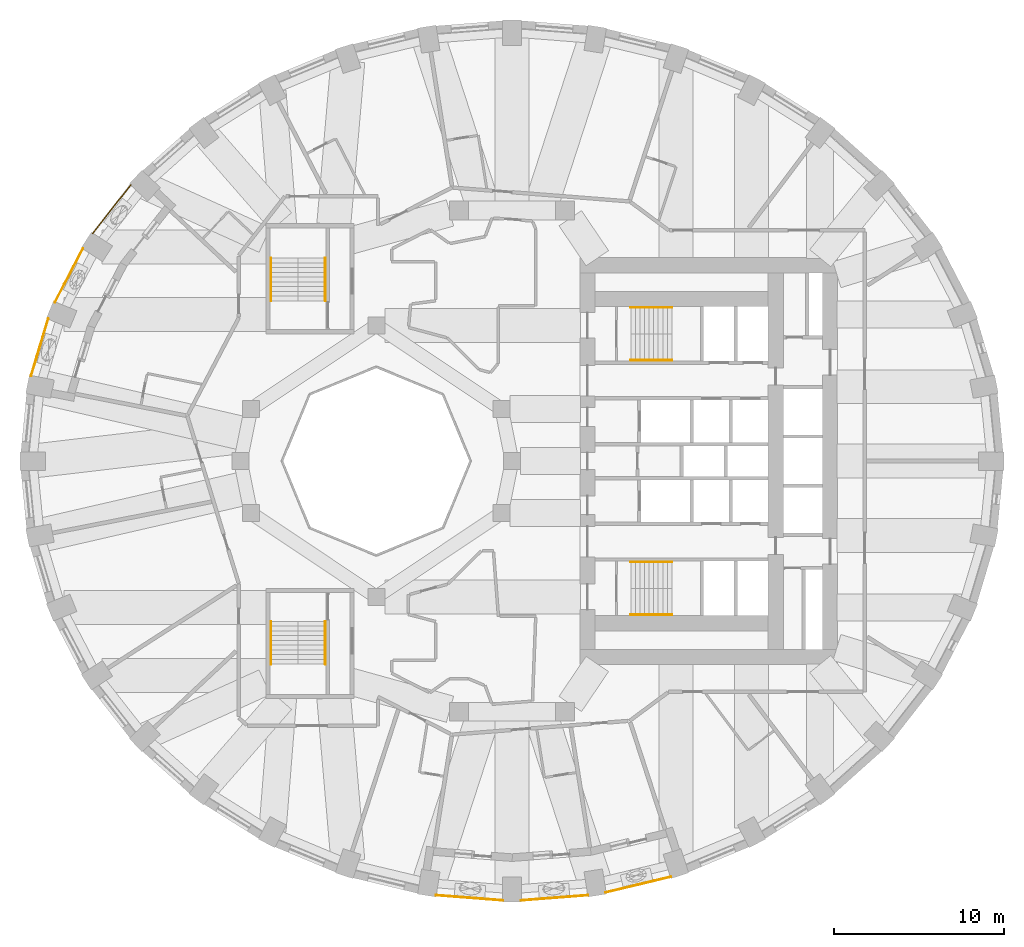
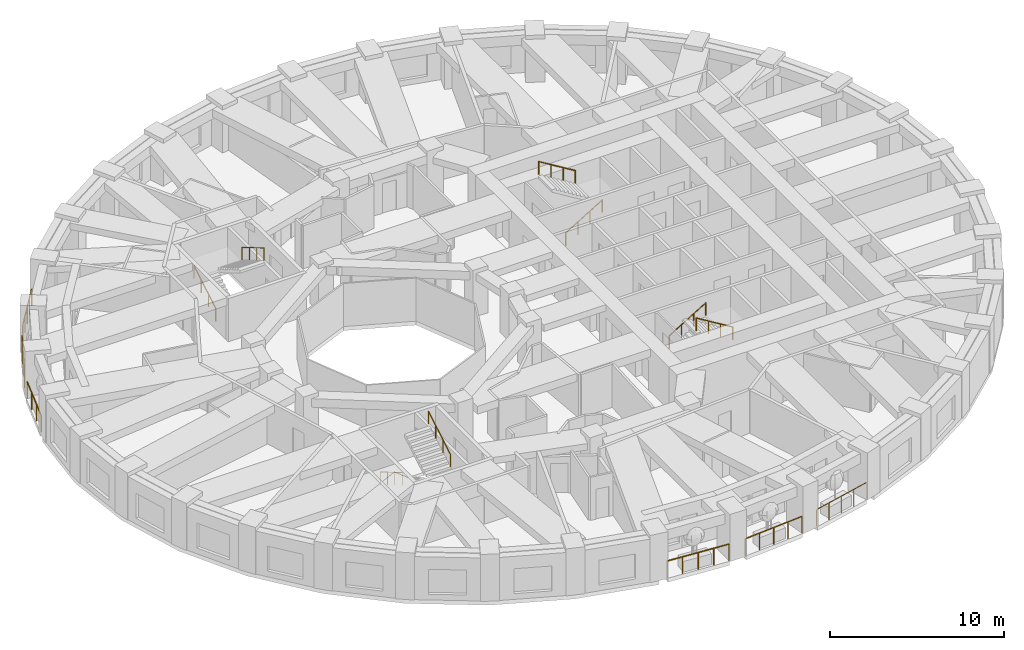
# One storey, part 11 of 13: 14 railings.
"""IFC4 building model written with IfcOpenShell, lengths in metres."""

import ifcopenshell
import ifcopenshell.guid

model = None  # the IFC model being written
_history = None  # IfcOwnerHistory: only IFC2X3 demands one
_inside = {}  # id of a spatial element -> (the spatial element, [elements in it])
_under = {}  # id of a project, library or spatial element -> (it, [spatial elements below it])
_declared = {}  # id of a project -> (the project, [libraries it declares])
_typed = {}  # id of a type object -> (the type object, [elements of that type])
_made_of = {}  # id of a material, layer set ... -> (it, [elements and type objects made of it])


def new_model(schema):
    """Start an empty IFC model of exactly this schema.

    Asked for "IFC4X3", IfcOpenShell would pick the latest addendum, in which some entities
    have other attributes; the version numbers below select the first issue.
    IFC2X3 requires an IfcOwnerHistory on every rooted entity: one is made here for all.
    """
    global model, _history
    if schema == "IFC4X3":
        model = ifcopenshell.file(schema_version=(4, 3, 0, 0))
    else:
        model = ifcopenshell.file(schema=schema)
    _inside.clear()
    _under.clear()
    _declared.clear()
    _typed.clear()
    _made_of.clear()
    _history = None
    if model.schema == "IFC2X3":
        org = make("IfcOrganization", Name="unknown")
        user = make(
            "IfcPersonAndOrganization",
            ThePerson=make("IfcPerson", FamilyName="unknown"),
            TheOrganization=org,
        )
        app = make(
            "IfcApplication",
            ApplicationDeveloper=org,
            Version="unknown",
            ApplicationFullName="unknown",
            ApplicationIdentifier="unknown",
        )
        _history = make(
            "IfcOwnerHistory",
            OwningUser=user,
            OwningApplication=app,
            ChangeAction="ADDED",
            CreationDate=0,
        )
    return model


def make(cls, **values):
    """One entity of the class cls with the attributes given. An attribute that is None is left unset."""
    return model.create_entity(
        cls, **{name: value for name, value in values.items() if value is not None}
    )


def rooted(cls, **values):
    """An entity with a GlobalId (a new one), such as an element, a storey or a relation."""
    return make(cls, GlobalId=ifcopenshell.guid.new(), OwnerHistory=_history, **values)


def si_unit(unit_type, name, prefix=None):
    """IfcSIUnit, for example si_unit("LENGTHUNIT", "METRE", prefix="MILLI")."""
    return make("IfcSIUnit", UnitType=unit_type, Prefix=prefix, Name=name)


def assignment(units):
    """IfcUnitAssignment: the units of a project."""
    return None if units is None else make("IfcUnitAssignment", Units=units)


def point(xyz):
    """IfcCartesianPoint."""
    return None if xyz is None else make("IfcCartesianPoint", Coordinates=xyz)


def direction(xyz):
    """IfcDirection."""
    return None if xyz is None else make("IfcDirection", DirectionRatios=xyz)


def frame(location, z_axis=None, x_axis=None):
    """IfcAxis2Placement3D, a coordinate frame: its origin and axes. An axis left out is left unset."""
    return make(
        "IfcAxis2Placement3D",
        Location=point(location),
        Axis=direction(z_axis),
        RefDirection=direction(x_axis),
    )


def frame_2d(location, x_axis=None):
    """IfcAxis2Placement2D, a coordinate frame in the plane: its origin and x axis."""
    return make(
        "IfcAxis2Placement2D", Location=point(location), RefDirection=direction(x_axis)
    )


def origin():
    """The frame at (0, 0, 0) with its axes left unset."""
    return frame((0.0, 0.0, 0.0))


def origin_2d():
    """The frame at (0, 0) in the plane with its x axis left unset."""
    return frame_2d((0.0, 0.0))


def place(relative_to, where):
    """IfcLocalPlacement: puts the frame where relative to a parent placement (None: the world)."""
    return make(
        "IfcLocalPlacement", PlacementRelTo=relative_to, RelativePlacement=where
    )


def context(
    kind, dimensions, precision=None, world=None, true_north=None, identifier=None
):
    """IfcGeometricRepresentationContext, for example the 3D "Model" context."""
    return make(
        "IfcGeometricRepresentationContext",
        ContextIdentifier=identifier,
        ContextType=kind,
        CoordinateSpaceDimension=dimensions,
        Precision=precision,
        WorldCoordinateSystem=world,
        TrueNorth=true_north,
    )


def subcontext(parent, identifier, kind, view, scale=None):
    """IfcGeometricRepresentationSubContext, for example "Body" below "Model"."""
    return make(
        "IfcGeometricRepresentationSubContext",
        ContextIdentifier=identifier,
        ContextType=kind,
        ParentContext=parent,
        TargetScale=scale,
        TargetView=view,
    )


def project(units=None, contexts=None):
    """IfcProject with its units and contexts."""
    return rooted(
        "IfcProject",
        Name="project",
        RepresentationContexts=contexts,
        UnitsInContext=assignment(units),
    )


def spatial(cls, under=None, at=None, **own):
    """A site, building, storey or space (cls), placed at a placement, below another one or the project."""
    s = rooted(cls, ObjectPlacement=at, **own)
    if under is not None:
        _under.setdefault(under.id(), (under, []))[1].append(s)
    return s


def profile(cls, at=None, kind="AREA", **sizes):
    """A parametric profile (cls). Its sizes go by their IFC names, for example OverallWidth=200.0."""
    return make(cls, ProfileType=kind, Position=at, **sizes)


def circle(**sizes):
    """IfcCircleProfileDef."""
    return profile("IfcCircleProfileDef", **sizes)


def extrude(swept, where, along, depth):
    """IfcExtrudedAreaSolid: the profile swept, set in the frame where, extruded along a direction by depth."""
    return make(
        "IfcExtrudedAreaSolid",
        SweptArea=swept,
        Position=where,
        ExtrudedDirection=direction(along),
        Depth=depth,
    )


def shape(context_of_items, identifier, shape_type, items):
    """IfcShapeRepresentation: the items that make up one representation, for example the "Body"."""
    return make(
        "IfcShapeRepresentation",
        ContextOfItems=context_of_items,
        RepresentationIdentifier=identifier,
        RepresentationType=shape_type,
        Items=items,
    )


def material(Name=None, Category=None):
    """IfcMaterial."""
    return make("IfcMaterial", Name=Name, Category=Category)


def made_of(thing, what):
    """Note that an element or type object is made of a material, layer set ...; save() writes the relation."""
    if what is not None:
        _made_of.setdefault(what.id(), (what, []))[1].append(thing)
    return thing


def type_object(cls, material=None, **own):
    """A type object (cls), such as IfcWallType, which elements share."""
    return made_of(rooted(cls, **own), material)


def element(
    cls,
    number,
    at=None,
    inside=None,
    cuts=None,
    type_object=None,
    material=None,
    context=None,
    identifier="Body",
    shape_type=None,
    held_by="IfcProductDefinitionShape",
    body=None,
    shapes=None,
    **own,
):
    """One element of the class cls, such as IfcWall. Its Tag is "e" and its number.

    at: its placement. inside: the storey or other place that contains it. cuts: it is an
    opening in that element (IfcRelVoidsElement). A single representation is given by context,
    identifier, shape_type and body (its items); several are given by shapes. held_by: the class
    of the entity that holds the representations. save() writes the other relations.
    """
    e = rooted(cls, Tag="e%d" % number, ObjectPlacement=at, **own)
    if body is not None:
        shapes = [shape(context, identifier, shape_type, body)]
    if shapes is not None:
        e.Representation = make(held_by, Representations=shapes)
    if inside is not None:
        _inside.setdefault(inside.id(), (inside, []))[1].append(e)
    if cuts is not None:
        rooted(
            "IfcRelVoidsElement", RelatingBuildingElement=cuts, RelatedOpeningElement=e
        )
    if type_object is not None:
        _typed.setdefault(type_object.id(), (type_object, []))[1].append(e)
    return made_of(e, material)


def aggregate(whole, parts):
    """IfcRelAggregates: a whole, such as a stair, and the parts it consists of."""
    return rooted("IfcRelAggregates", RelatingObject=whole, RelatedObjects=parts)


def save(model, path):
    """Write the relations noted so far, then the file.

    IfcRelAggregates (storeys below a building ...), IfcRelContainedInSpatialStructure (elements
    in a storey), IfcRelDefinesByType, IfcRelAssociatesMaterial and IfcRelDeclares: one each for
    every whole, place, type object, material and project.
    """
    for whole, parts in _under.values():
        aggregate(whole, parts)
    for where, things in _inside.values():
        rooted(
            "IfcRelContainedInSpatialStructure",
            RelatedElements=things,
            RelatingStructure=where,
        )
    for kind, things in _typed.values():
        rooted("IfcRelDefinesByType", RelatedObjects=things, RelatingType=kind)
    for what, things in _made_of.values():
        rooted("IfcRelAssociatesMaterial", RelatedObjects=things, RelatingMaterial=what)
    for by, libraries in _declared.values():
        rooted("IfcRelDeclares", RelatingContext=by, RelatedDefinitions=libraries)
    model.write(path)


model = new_model("IFC4")

# Units and contexts
model_context = context("Model", 3, precision=1e-05, world=origin(), true_north=direction((0.0, 1.0)))
body_context = subcontext(model_context, "Body", "Model", "MODEL_VIEW")
ifc_project = project(units=[si_unit("LENGTHUNIT", "METRE"), si_unit("AREAUNIT", "SQUARE_METRE"), si_unit("VOLUMEUNIT", "CUBIC_METRE"), si_unit("PLANEANGLEUNIT", "RADIAN"), si_unit("MASSUNIT", "GRAM", prefix="KILO")], contexts=[model_context])

# Site, building, storey
site_placement = place(None, origin())
site = spatial("IfcSite", under=ifc_project, at=site_placement, CompositionType="ELEMENT")
building_placement = place(site_placement, origin())
building = spatial("IfcBuilding", under=site, at=building_placement, Name="Taillehof Tower", CompositionType="ELEMENT")
storey_placement = place(building_placement, frame((0.0, 0.0, 31.60009765625)))
storey = spatial("IfcBuildingStorey", under=building, at=storey_placement, Name="L07", CompositionType="ELEMENT", Elevation=31.60009765625)

# Railings
ifc_material_1 = material(Name="Stainless steel balustrade", Category="steel")
railing_type_1 = type_object("IfcRailingType", Name="Balcony guard 1200", PredefinedType="GUARDRAIL", material=ifc_material_1)
railing_1_placement = place(storey_placement, frame((-22.472412109375, 16.28271484375, 0.0)))
element("IfcRailing", 1, at=railing_1_placement, inside=storey, type_object=railing_type_1, Name="Balcony guard L07 bay 15", PredefinedType="GUARDRAIL", context=body_context, shape_type="SweptSolid", body=[
    extrude(circle(Radius=0.02392578125, at=origin_2d()), frame((0.0, 0.0, 1.17578125), z_axis=(-0.616653661131, -0.787234566196, 0.0), x_axis=(0.787234566196, -0.616653661131, 0.0)), (0.0, 0.0, 1.0), 3.6396484375),
    extrude(circle(Radius=0.02099609375, at=origin_2d()), origin(), (0.0, 0.0, 1.0), 1.15185546875),
    extrude(circle(Radius=0.02099609375, at=origin_2d()), frame((-0.56103515625, -0.71630859375, 0.0)), (0.0, 0.0, 1.0), 1.15185546875),
    extrude(circle(Radius=0.02099609375, at=origin_2d()), frame((-1.1220703125, -1.4326171875, 0.0)), (0.0, 0.0, 1.0), 1.15185546875),
    extrude(circle(Radius=0.02099609375, at=origin_2d()), frame((-1.683349609375, -2.14892578125, 0.0)), (0.0, 0.0, 1.0), 1.15185546875),
    extrude(circle(Radius=0.02099609375, at=origin_2d()), frame((-2.244384765625, -2.865234375, 0.0)), (0.0, 0.0, 1.0), 1.15185546875),
])
railing_2_placement = place(storey_placement, frame((-25.291259765625, 12.526611328125, 0.0)))
element("IfcRailing", 2, at=railing_2_placement, inside=storey, type_object=railing_type_1, Name="Balcony guard L07 bay 16", PredefinedType="GUARDRAIL", context=body_context, shape_type="SweptSolid", body=[
    extrude(circle(Radius=0.02392578125, at=origin_2d()), frame((0.0, 0.0, 1.17578125), z_axis=(-0.462523854419, -0.886606837382, 0.0), x_axis=(0.886606837382, -0.462523854419, 0.0)), (0.0, 0.0, 1.0), 3.56298828125),
    extrude(circle(Radius=0.02099609375, at=origin_2d()), origin(), (0.0, 0.0, 1.0), 1.15185546875),
    extrude(circle(Radius=0.02099609375, at=origin_2d()), frame((-0.54931640625, -1.052978515625, 0.0)), (0.0, 0.0, 1.0), 1.15185546875),
    extrude(circle(Radius=0.02099609375, at=origin_2d()), frame((-1.0986328125, -2.10595703125, 0.0)), (0.0, 0.0, 1.0), 1.15185546875),
    extrude(circle(Radius=0.02099609375, at=origin_2d()), frame((-1.64794921875, -3.158935546875, 0.0)), (0.0, 0.0, 1.0), 1.15185546875),
])
railing_3_placement = place(storey_placement, frame((-27.33837890625, 8.385498046875, 0.0)))
element("IfcRailing", 3, at=railing_3_placement, inside=storey, type_object=railing_type_1, Name="Balcony guard L07 bay 17", PredefinedType="GUARDRAIL", context=body_context, shape_type="SweptSolid", body=[
    extrude(circle(Radius=0.02392578125, at=origin_2d()), frame((0.0, 0.0, 1.17578125), z_axis=(-0.287098668231, -0.957901015085, 0.0), x_axis=(0.957901015085, -0.287098668231, 0.0)), (0.0, 0.0, 1.0), 3.505126953125),
    extrude(circle(Radius=0.02099609375, at=origin_2d()), origin(), (0.0, 0.0, 1.0), 1.15185546875),
    extrude(circle(Radius=0.02099609375, at=origin_2d()), frame((-0.33544921875, -1.119140625, 0.0)), (0.0, 0.0, 1.0), 1.15185546875),
    extrude(circle(Radius=0.02099609375, at=origin_2d()), frame((-0.6708984375, -2.238525390625, 0.0)), (0.0, 0.0, 1.0), 1.15185546875),
    extrude(circle(Radius=0.02099609375, at=origin_2d()), frame((-1.00634765625, -3.357666015625, 0.0)), (0.0, 0.0, 1.0), 1.15185546875),
])
railing_4_placement = place(storey_placement, frame((-4.483154296875, -25.589111328125, 0.0)))
element("IfcRailing", 4, at=railing_4_placement, inside=storey, type_object=railing_type_1, Name="Balcony guard L07 bay 27", PredefinedType="GUARDRAIL", context=body_context, shape_type="SweptSolid", body=[
    extrude(circle(Radius=0.02392578125, at=origin_2d()), frame((0.0, 0.0, 1.17578125), z_axis=(0.996952571778, -0.078010061045, 0.0), x_axis=(0.078010061045, 0.996952571778, 0.0)), (0.0, 0.0, 1.0), 3.965087890625),
    extrude(circle(Radius=0.02099609375, at=origin_2d()), origin(), (0.0, 0.0, 1.0), 1.15185546875),
    extrude(circle(Radius=0.02099609375, at=origin_2d()), frame((0.98828125, -0.077392578125, 0.0)), (0.0, 0.0, 1.0), 1.15185546875),
    extrude(circle(Radius=0.02099609375, at=origin_2d()), frame((1.9765625, -0.15478515625, 0.0)), (0.0, 0.0, 1.0), 1.15185546875),
    extrude(circle(Radius=0.02099609375, at=origin_2d()), frame((2.96484375, -0.23193359375, 0.0)), (0.0, 0.0, 1.0), 1.15185546875),
    extrude(circle(Radius=0.02099609375, at=origin_2d()), frame((3.953125, -0.309326171875, 0.0)), (0.0, 0.0, 1.0), 1.15185546875),
])
railing_5_placement = place(storey_placement, frame((0.530029296875, -25.8984375, 0.0)))
element("IfcRailing", 5, at=railing_5_placement, inside=storey, type_object=railing_type_1, Name="Balcony guard L07 bay 28", PredefinedType="GUARDRAIL", context=body_context, shape_type="SweptSolid", body=[
    extrude(circle(Radius=0.02392578125, at=origin_2d()), frame((0.0, 0.0, 1.17578125), z_axis=(0.996952571778, 0.078010061045, 0.0), x_axis=(-0.078010061045, 0.996952571778, 0.0)), (0.0, 0.0, 1.0), 3.965087890625),
    extrude(circle(Radius=0.02099609375, at=origin_2d()), origin(), (0.0, 0.0, 1.0), 1.15185546875),
    extrude(circle(Radius=0.02099609375, at=origin_2d()), frame((0.98828125, 0.077392578125, 0.0)), (0.0, 0.0, 1.0), 1.15185546875),
    extrude(circle(Radius=0.02099609375, at=origin_2d()), frame((1.9765625, 0.15478515625, 0.0)), (0.0, 0.0, 1.0), 1.15185546875),
    extrude(circle(Radius=0.02099609375, at=origin_2d()), frame((2.96484375, 0.23193359375, 0.0)), (0.0, 0.0, 1.0), 1.15185546875),
    extrude(circle(Radius=0.02099609375, at=origin_2d()), frame((3.953125, 0.309326171875, 0.0)), (0.0, 0.0, 1.0), 1.15185546875),
])
railing_6_placement = place(storey_placement, frame((5.5302734375, -25.423828125, 0.0)))
element("IfcRailing", 6, at=railing_6_placement, inside=storey, type_object=railing_type_1, Name="Balcony guard L07 bay 29", PredefinedType="GUARDRAIL", context=body_context, shape_type="SweptSolid", body=[
    extrude(circle(Radius=0.02392578125, at=origin_2d()), frame((0.0, 0.0, 1.17578125), z_axis=(0.972495275648, 0.232922602687, 0.0), x_axis=(-0.232922602687, 0.972495275648, 0.0)), (0.0, 0.0, 1.0), 3.93701171875),
    extrude(circle(Radius=0.02099609375, at=origin_2d()), origin(), (0.0, 0.0, 1.0), 1.15185546875),
    extrude(circle(Radius=0.02099609375, at=origin_2d()), frame((0.95703125, 0.229248046875, 0.0)), (0.0, 0.0, 1.0), 1.15185546875),
    extrude(circle(Radius=0.02099609375, at=origin_2d()), frame((1.914306640625, 0.45849609375, 0.0)), (0.0, 0.0, 1.0), 1.15185546875),
    extrude(circle(Radius=0.02099609375, at=origin_2d()), frame((2.87158203125, 0.687744140625, 0.0)), (0.0, 0.0, 1.0), 1.15185546875),
    extrude(circle(Radius=0.02099609375, at=origin_2d()), frame((3.82861328125, 0.9169921875, 0.0)), (0.0, 0.0, 1.0), 1.15185546875),
])
ifc_material_2 = material(Name="Stainless steel", Category="steel")
railing_type_2 = type_object("IfcRailingType", Name="Stair handrail 900", PredefinedType="HANDRAIL", material=ifc_material_2)
railing_7_placement = place(storey_placement, frame((7.0, 5.949951171875, 0.164794921875)))
element("IfcRailing", 7, at=railing_7_placement, inside=storey, type_object=railing_type_2, Name="Stair S1 handrail", PredefinedType="HANDRAIL", context=body_context, shape_type="SweptSolid", body=[
    extrude(circle(Radius=0.02392578125, at=origin_2d()), frame((0.0, 0.0, 0.8759765625), z_axis=(0.853258522278, 0.0, 0.521488153423), x_axis=(0.0, 1.0, 0.0)), (0.0, 0.0, 1.0), 2.847900390625),
    extrude(circle(Radius=0.02099609375, at=origin_2d()), origin(), (0.0, 0.0, 1.0), 0.851806640625),
    extrude(circle(Radius=0.02099609375, at=origin_2d()), frame((0.81005859375, 0.0, 0.4951171875)), (0.0, 0.0, 1.0), 0.851806640625),
    extrude(circle(Radius=0.02099609375, at=origin_2d()), frame((1.619873046875, 0.0, 0.989990234375)), (0.0, 0.0, 1.0), 0.851806640625),
    extrude(circle(Radius=0.02099609375, at=origin_2d()), frame((2.429931640625, 0.0, 1.485107421875)), (0.0, 0.0, 1.0), 0.851806640625),
])
railing_8_placement = place(storey_placement, frame((9.429931640625, 9.050048828125, 1.81494140625)))
element("IfcRailing", 8, at=railing_8_placement, inside=storey, type_object=railing_type_2, Name="Stair S1 handrail", PredefinedType="HANDRAIL", context=body_context, shape_type="SweptSolid", body=[
    extrude(circle(Radius=0.02392578125, at=origin_2d()), frame((0.0, 0.0, 0.8759765625), z_axis=(-0.853296667938, 0.0, 0.521425734392), x_axis=(0.0, -1.0, 0.0)), (0.0, 0.0, 1.0), 2.84765625),
    extrude(circle(Radius=0.02099609375, at=origin_2d()), origin(), (0.0, 0.0, 1.0), 0.851806640625),
    extrude(circle(Radius=0.02099609375, at=origin_2d()), frame((-0.81005859375, 0.0, 0.494873046875)), (0.0, 0.0, 1.0), 0.851806640625),
    extrude(circle(Radius=0.02099609375, at=origin_2d()), frame((-1.619873046875, 0.0, 0.989990234375)), (0.0, 0.0, 1.0), 0.851806640625),
    extrude(circle(Radius=0.02099609375, at=origin_2d()), frame((-2.429931640625, 0.0, 1.48486328125)), (0.0, 0.0, 1.0), 0.851806640625),
])
railing_9_placement = place(storey_placement, frame((7.0, -5.949951171875, 0.164794921875)))
element("IfcRailing", 9, at=railing_9_placement, inside=storey, type_object=railing_type_2, Name="Stair S2 handrail", PredefinedType="HANDRAIL", context=body_context, shape_type="SweptSolid", body=[
    extrude(circle(Radius=0.02392578125, at=origin_2d()), frame((0.0, 0.0, 0.8759765625), z_axis=(0.853258522278, 0.0, 0.521488153423), x_axis=(0.0, 1.0, 0.0)), (0.0, 0.0, 1.0), 2.847900390625),
    extrude(circle(Radius=0.02099609375, at=origin_2d()), origin(), (0.0, 0.0, 1.0), 0.851806640625),
    extrude(circle(Radius=0.02099609375, at=origin_2d()), frame((0.81005859375, 0.0, 0.4951171875)), (0.0, 0.0, 1.0), 0.851806640625),
    extrude(circle(Radius=0.02099609375, at=origin_2d()), frame((1.619873046875, 0.0, 0.989990234375)), (0.0, 0.0, 1.0), 0.851806640625),
    extrude(circle(Radius=0.02099609375, at=origin_2d()), frame((2.429931640625, 0.0, 1.485107421875)), (0.0, 0.0, 1.0), 0.851806640625),
])
railing_10_placement = place(storey_placement, frame((9.429931640625, -9.050048828125, 1.81494140625)))
element("IfcRailing", 10, at=railing_10_placement, inside=storey, type_object=railing_type_2, Name="Stair S2 handrail", PredefinedType="HANDRAIL", context=body_context, shape_type="SweptSolid", body=[
    extrude(circle(Radius=0.02392578125, at=origin_2d()), frame((0.0, 0.0, 0.8759765625), z_axis=(-0.853296667938, 0.0, 0.521425734392), x_axis=(0.0, -1.0, 0.0)), (0.0, 0.0, 1.0), 2.84765625),
    extrude(circle(Radius=0.02099609375, at=origin_2d()), origin(), (0.0, 0.0, 1.0), 0.851806640625),
    extrude(circle(Radius=0.02099609375, at=origin_2d()), frame((-0.81005859375, 0.0, 0.494873046875)), (0.0, 0.0, 1.0), 0.851806640625),
    extrude(circle(Radius=0.02099609375, at=origin_2d()), frame((-1.619873046875, 0.0, 0.989990234375)), (0.0, 0.0, 1.0), 0.851806640625),
    extrude(circle(Radius=0.02099609375, at=origin_2d()), frame((-2.429931640625, 0.0, 1.48486328125)), (0.0, 0.0, 1.0), 0.851806640625),
])
railing_11_placement = place(storey_placement, frame((-14.199951171875, 9.449951171875, 0.164794921875)))
element("IfcRailing", 11, at=railing_11_placement, inside=storey, type_object=railing_type_2, Name="Stair S3 handrail", PredefinedType="HANDRAIL", context=body_context, shape_type="SweptSolid", body=[
    extrude(circle(Radius=0.02392578125, at=origin_2d()), frame((0.0, 0.0, 0.8759765625), z_axis=(0.0, 0.86152411907, 0.507716645641), x_axis=(-1.0, 0.0, 0.0)), (0.0, 0.0, 1.0), 2.925048828125),
    extrude(circle(Radius=0.02099609375, at=origin_2d()), origin(), (0.0, 0.0, 1.0), 0.851806640625),
    extrude(circle(Radius=0.02099609375, at=origin_2d()), frame((0.0, 0.840087890625, 0.4951171875)), (0.0, 0.0, 1.0), 0.851806640625),
    extrude(circle(Radius=0.02099609375, at=origin_2d()), frame((0.0, 1.679931640625, 0.989990234375)), (0.0, 0.0, 1.0), 0.851806640625),
    extrude(circle(Radius=0.02099609375, at=origin_2d()), frame((0.0, 2.52001953125, 1.485107421875)), (0.0, 0.0, 1.0), 0.851806640625),
])
railing_12_placement = place(storey_placement, frame((-11.0, 11.969970703125, 1.81494140625)))
element("IfcRailing", 12, at=railing_12_placement, inside=storey, type_object=railing_type_2, Name="Stair S3 handrail", PredefinedType="HANDRAIL", context=body_context, shape_type="SweptSolid", body=[
    extrude(circle(Radius=0.02392578125, at=origin_2d()), frame((0.0, 0.0, 0.8759765625), z_axis=(0.0, -0.861560626758, 0.507654692109), x_axis=(1.0, 0.0, 0.0)), (0.0, 0.0, 1.0), 2.925048828125),
    extrude(circle(Radius=0.02099609375, at=origin_2d()), origin(), (0.0, 0.0, 1.0), 0.851806640625),
    extrude(circle(Radius=0.02099609375, at=origin_2d()), frame((0.0, -0.840087890625, 0.494873046875)), (0.0, 0.0, 1.0), 0.851806640625),
    extrude(circle(Radius=0.02099609375, at=origin_2d()), frame((0.0, -1.679931640625, 0.989990234375)), (0.0, 0.0, 1.0), 0.851806640625),
    extrude(circle(Radius=0.02099609375, at=origin_2d()), frame((0.0, -2.52001953125, 1.48486328125)), (0.0, 0.0, 1.0), 0.851806640625),
])
railing_13_placement = place(storey_placement, frame((-14.199951171875, -9.449951171875, 0.164794921875)))
element("IfcRailing", 13, at=railing_13_placement, inside=storey, type_object=railing_type_2, Name="Stair S4 handrail", PredefinedType="HANDRAIL", context=body_context, shape_type="SweptSolid", body=[
    extrude(circle(Radius=0.02392578125, at=origin_2d()), frame((0.0, 0.0, 0.8759765625), z_axis=(0.0, -0.86152411907, 0.507716645641), x_axis=(1.0, 0.0, 0.0)), (0.0, 0.0, 1.0), 2.925048828125),
    extrude(circle(Radius=0.02099609375, at=origin_2d()), origin(), (0.0, 0.0, 1.0), 0.851806640625),
    extrude(circle(Radius=0.02099609375, at=origin_2d()), frame((0.0, -0.840087890625, 0.4951171875)), (0.0, 0.0, 1.0), 0.851806640625),
    extrude(circle(Radius=0.02099609375, at=origin_2d()), frame((0.0, -1.679931640625, 0.989990234375)), (0.0, 0.0, 1.0), 0.851806640625),
    extrude(circle(Radius=0.02099609375, at=origin_2d()), frame((0.0, -2.52001953125, 1.485107421875)), (0.0, 0.0, 1.0), 0.851806640625),
])
railing_14_placement = place(storey_placement, frame((-11.0, -11.969970703125, 1.81494140625)))
element("IfcRailing", 14, at=railing_14_placement, inside=storey, type_object=railing_type_2, Name="Stair S4 handrail", PredefinedType="HANDRAIL", context=body_context, shape_type="SweptSolid", body=[
    extrude(circle(Radius=0.02392578125, at=origin_2d()), frame((0.0, 0.0, 0.8759765625), z_axis=(0.0, 0.861560626758, 0.507654692109), x_axis=(-1.0, 0.0, 0.0)), (0.0, 0.0, 1.0), 2.925048828125),
    extrude(circle(Radius=0.02099609375, at=origin_2d()), origin(), (0.0, 0.0, 1.0), 0.851806640625),
    extrude(circle(Radius=0.02099609375, at=origin_2d()), frame((0.0, 0.840087890625, 0.494873046875)), (0.0, 0.0, 1.0), 0.851806640625),
    extrude(circle(Radius=0.02099609375, at=origin_2d()), frame((0.0, 1.679931640625, 0.989990234375)), (0.0, 0.0, 1.0), 0.851806640625),
    extrude(circle(Radius=0.02099609375, at=origin_2d()), frame((0.0, 2.52001953125, 1.48486328125)), (0.0, 0.0, 1.0), 0.851806640625),
])

save(model, "model.ifc")
